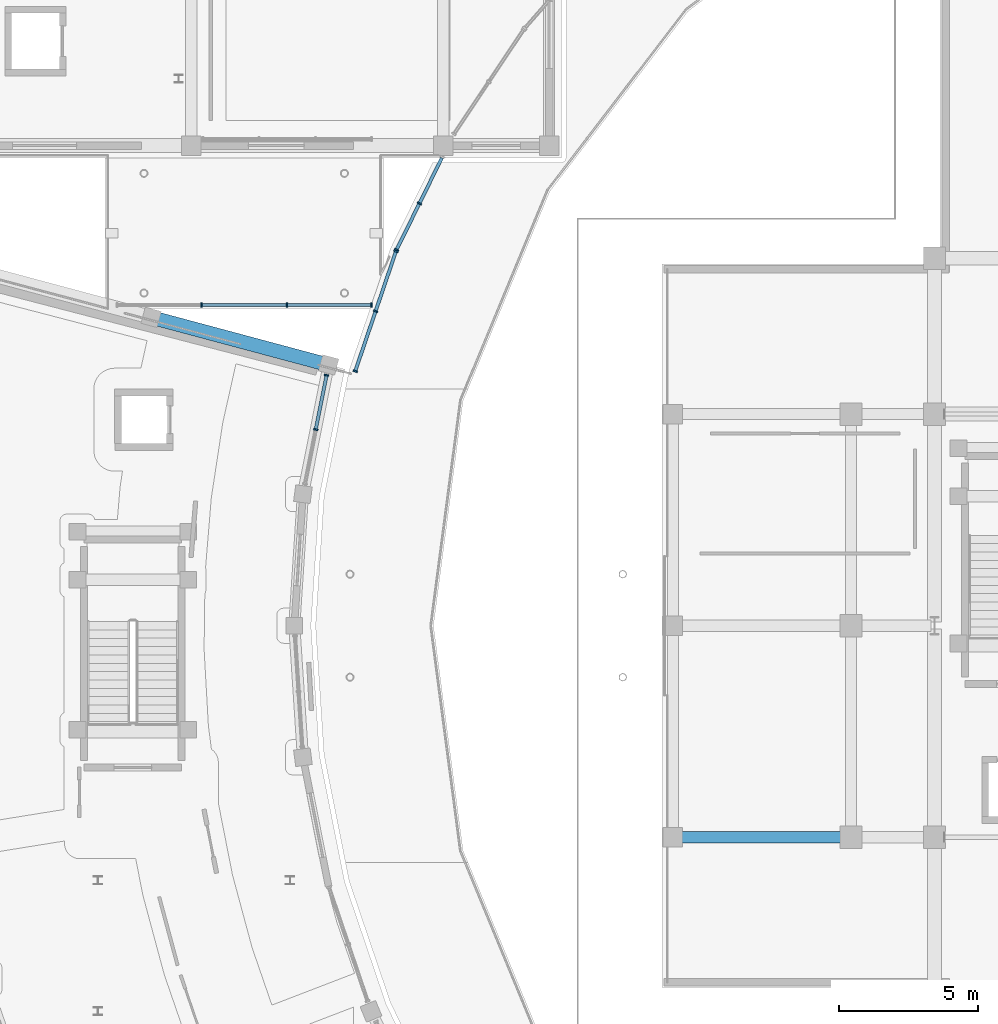
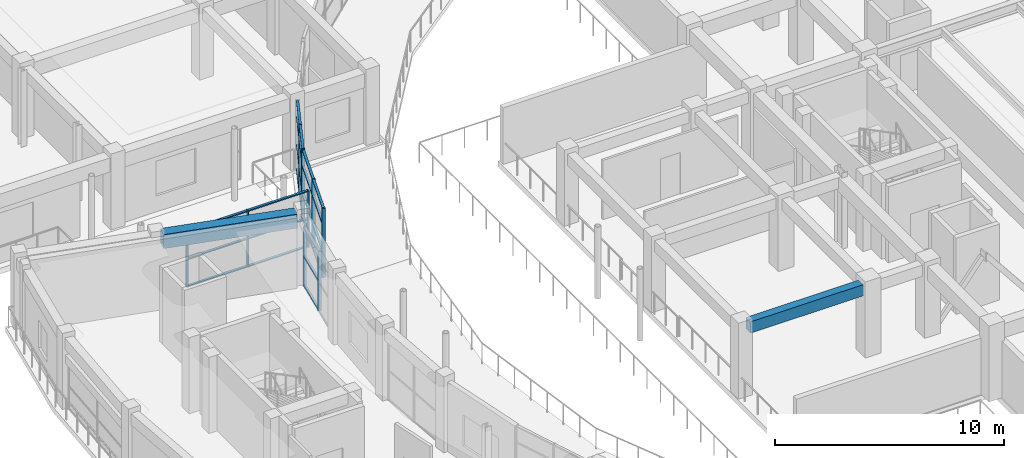
# One storey, part 24 of 83: 35 members, 2 beams, 4 elements without a shape of their own.
"""IFC4 building model written with IfcOpenShell, lengths in metres."""

from ifc_helpers import new_model, si_unit, direction, frame, origin, origin_2d, place, context, subcontext, project, spatial, rectangle, extrude, material, material_profile, profile_set, type_object, element, aggregate, save


model = new_model("IFC4")

# Units and contexts
model_context = context("Model", 3, precision=1e-05, world=origin(), true_north=direction((0.0, 1.0)))
body_context = subcontext(model_context, "Body", "Model", "MODEL_VIEW")
ifc_project = project(units=[si_unit("LENGTHUNIT", "METRE"), si_unit("AREAUNIT", "SQUARE_METRE"), si_unit("VOLUMEUNIT", "CUBIC_METRE"), si_unit("PLANEANGLEUNIT", "RADIAN"), si_unit("MASSUNIT", "GRAM", prefix="KILO")], contexts=[model_context])

# Site, building, storey
site_placement = place(None, origin())
site = spatial("IfcSite", under=ifc_project, at=site_placement, CompositionType="ELEMENT")
building_placement = place(site_placement, origin())
building = spatial("IfcBuilding", under=site, at=building_placement, Name="Saryqyr Civic Hall", CompositionType="ELEMENT")
storey_placement = place(building_placement, frame((0.0, 0.0, 9.14990234375)))
storey = spatial("IfcBuildingStorey", under=building, at=storey_placement, Name="L02", CompositionType="ELEMENT", Elevation=9.14990234375)

# Curtain wall, members
ifc_material_1 = material(Name="Anodised aluminium and triple low-E glass", Category="aluminium")
curtain_wall_type_1 = type_object("IfcCurtainWallType", Name="ENV-CW-STD-21", PredefinedType="NOTDEFINED", material=ifc_material_1)
curtain_wall_1_placement = place(storey_placement, origin())
curtain_wall_1 = element("IfcCurtainWall", 1, at=curtain_wall_1_placement, inside=storey, type_object=curtain_wall_type_1, Name="Curtain wall V4-CWI-L02-00", PredefinedType="NOTDEFINED")
ifc_material_2 = material(Name="Anodised aluminium", Category="aluminium")
ifc_material_profile_1 = material_profile(ifc_material_2, rectangle(XDim=0.06005859375, YDim=0.159912109375, at=origin_2d()), Name="ALU MULLION 60x160")
ifc_profile_set_1 = profile_set([ifc_material_profile_1], Name="Anodised aluminium")
member_type_1 = type_object("IfcMemberType", Name="ENV-CW-MUL-180", PredefinedType="MULLION", material=ifc_profile_set_1)
member_1_placement = place(storey_placement, frame((21.9599609375, 92.999755859375, 0.0), z_axis=(0.0, 0.0, 1.0), x_axis=(-0.195107360697, -0.980781891045, 0.0)))
member_1 = element("IfcMember", 2, at=member_1_placement, type_object=member_type_1, Name="CW-21 mullion 1", PredefinedType="MULLION", context=body_context, shape_type="SweptSolid", body=[
    extrude(rectangle(XDim=0.06005859375, YDim=0.159912109375, at=origin_2d()), origin(), (0.0, 0.0, 1.0), 3.1650390625),
])
member_2_placement = place(storey_placement, frame((21.571533203125, 91.047119140625, 0.0), z_axis=(0.0, 0.0, 1.0), x_axis=(-0.195107360697, -0.980781891045, 0.0)))
member_2 = element("IfcMember", 3, at=member_2_placement, type_object=member_type_1, Name="CW-21 mullion 2", PredefinedType="MULLION", context=body_context, shape_type="SweptSolid", body=[
    extrude(rectangle(XDim=0.06005859375, YDim=0.159912109375, at=origin_2d()), origin(), (0.0, 0.0, 1.0), 3.1650390625),
])

curtain_wall_type_2 = type_object("IfcCurtainWallType", Name="ENV-CW-STD-44", PredefinedType="NOTDEFINED", material=ifc_material_1)
curtain_wall_2_placement = place(storey_placement, origin())
curtain_wall_2 = element("IfcCurtainWall", 4, at=curtain_wall_2_placement, inside=storey, type_object=curtain_wall_type_2, Name="Curtain wall V2-PERIM-CW-L02-20", PredefinedType="NOTDEFINED")
member_3_placement = place(storey_placement, frame((24.474365234375, 97.505126953125, 0.0), z_axis=(0.0, 0.0, 1.0), x_axis=(0.442274074143, 0.896879949236, 0.0)))
member_3 = element("IfcMember", 5, at=member_3_placement, type_object=member_type_1, Name="CW-44 mullion 1", PredefinedType="MULLION", context=body_context, shape_type="SweptSolid", body=[
    extrude(rectangle(XDim=0.06005859375, YDim=0.159912109375, at=origin_2d()), origin(), (0.0, 0.0, 1.0), 3.7001953125),
])
member_4_placement = place(storey_placement, frame((25.294921875, 99.1689453125, 0.0), z_axis=(0.0, 0.0, 1.0), x_axis=(0.442274074143, 0.896879949236, 0.0)))
member_4 = element("IfcMember", 6, at=member_4_placement, type_object=member_type_1, Name="CW-44 mullion 2", PredefinedType="MULLION", context=body_context, shape_type="SweptSolid", body=[
    extrude(rectangle(XDim=0.06005859375, YDim=0.159912109375, at=origin_2d()), origin(), (0.0, 0.0, 1.0), 3.7001953125),
])

curtain_wall_type_3 = type_object("IfcCurtainWallType", Name="ENV-CW-STD-74", PredefinedType="NOTDEFINED", material=ifc_material_1)
curtain_wall_3_placement = place(storey_placement, origin())
curtain_wall_3 = element("IfcCurtainWall", 7, at=curtain_wall_3_placement, inside=storey, type_object=curtain_wall_type_3, Name="Curtain wall V2-PERIM-CW-L02-21", PredefinedType="NOTDEFINED")
member_5_placement = place(storey_placement, frame((22.98974609375, 93.14404296875, 0.0), z_axis=(0.0, 0.0, 1.0), x_axis=(0.321445459178, 0.946928094828, 0.0)))
member_5 = element("IfcMember", 8, at=member_5_placement, type_object=member_type_1, Name="CW-74 mullion 1", PredefinedType="MULLION", context=body_context, shape_type="SweptSolid", body=[
    extrude(rectangle(XDim=0.06005859375, YDim=0.159912109375, at=origin_2d()), origin(), (0.0, 0.0, 1.0), 3.7001953125),
])
member_6_placement = place(storey_placement, frame((23.720458984375, 95.296875, 0.0), z_axis=(0.0, 0.0, 1.0), x_axis=(0.321445459178, 0.946928094828, 0.0)))
member_6 = element("IfcMember", 9, at=member_6_placement, type_object=member_type_1, Name="CW-74 mullion 2", PredefinedType="MULLION", context=body_context, shape_type="SweptSolid", body=[
    extrude(rectangle(XDim=0.06005859375, YDim=0.159912109375, at=origin_2d()), origin(), (0.0, 0.0, 1.0), 3.7001953125),
])
member_7_placement = place(storey_placement, frame((24.451416015625, 97.44970703125, 0.0), z_axis=(0.0, 0.0, 1.0), x_axis=(0.321445459178, 0.946928094828, 0.0)))
member_7 = element("IfcMember", 10, at=member_7_placement, type_object=member_type_1, Name="CW-74 mullion 3", PredefinedType="MULLION", context=body_context, shape_type="SweptSolid", body=[
    extrude(rectangle(XDim=0.06005859375, YDim=0.159912109375, at=origin_2d()), origin(), (0.0, 0.0, 1.0), 3.7001953125),
])

curtain_wall_type_4 = type_object("IfcCurtainWallType", Name="ENV-CW-STD-84", PredefinedType="NOTDEFINED", material=ifc_material_1)
curtain_wall_4_placement = place(storey_placement, origin())
curtain_wall_4 = element("IfcCurtainWall", 11, at=curtain_wall_4_placement, inside=storey, type_object=curtain_wall_type_4, Name="Curtain wall BR-NW-CW1-L02", PredefinedType="NOTDEFINED")
member_8_placement = place(storey_placement, frame((23.570068359375, 95.52001953125, 0.0), z_axis=(0.0, 0.0, 1.0), x_axis=(-1.0, 0.0, 0.0)))
member_8 = element("IfcMember", 12, at=member_8_placement, type_object=member_type_1, Name="CW-84 mullion 1", PredefinedType="MULLION", context=body_context, shape_type="SweptSolid", body=[
    extrude(rectangle(XDim=0.06005859375, YDim=0.159912109375, at=origin_2d()), origin(), (0.0, 0.0, 1.0), 3.01513671875),
])
member_9_placement = place(storey_placement, frame((20.533447265625, 95.52001953125, 0.0), z_axis=(0.0, 0.0, 1.0), x_axis=(-1.0, 0.0, 0.0)))
member_9 = element("IfcMember", 13, at=member_9_placement, type_object=member_type_1, Name="CW-84 mullion 2", PredefinedType="MULLION", context=body_context, shape_type="SweptSolid", body=[
    extrude(rectangle(XDim=0.06005859375, YDim=0.159912109375, at=origin_2d()), origin(), (0.0, 0.0, 1.0), 3.01513671875),
])
member_10_placement = place(storey_placement, frame((17.466552734375, 95.52001953125, 0.0), z_axis=(0.0, 0.0, 1.0), x_axis=(-1.0, 0.0, 0.0)))
member_10 = element("IfcMember", 14, at=member_10_placement, type_object=member_type_1, Name="CW-84 mullion 3", PredefinedType="MULLION", context=body_context, shape_type="SweptSolid", body=[
    extrude(rectangle(XDim=0.06005859375, YDim=0.159912109375, at=origin_2d()), origin(), (0.0, 0.0, 1.0), 3.01513671875),
])

# Member
ifc_material_profile_2 = material_profile(ifc_material_2, rectangle(XDim=0.1201171875, YDim=0.06005859375, at=origin_2d()), Name="ALU TRANSOM 120x60")
ifc_profile_set_2 = profile_set([ifc_material_profile_2], Name="Anodised aluminium")
member_type_2 = type_object("IfcMemberType", Name="ENV-CW-TRN-150", PredefinedType="USERDEFINED", material=ifc_profile_set_2)
member_11_placement = place(storey_placement, frame((21.9541015625, 92.970458984375, 0.030029296875), z_axis=(-0.195070603182, -0.980789202517, 0.0), x_axis=(0.980789202517, -0.195070603182, 0.0)))
member_11 = element("IfcMember", 15, at=member_11_placement, type_object=member_type_2, Name="CW-21 transom 1.1", ObjectType="TRANSOM", PredefinedType="USERDEFINED", context=body_context, shape_type="SweptSolid", body=[
    extrude(rectangle(XDim=0.1201171875, YDim=0.06005859375, at=origin_2d()), origin(), (0.0, 0.0, 1.0), 1.93115234375),
])

member_12_placement = place(storey_placement, frame((21.9541015625, 92.970458984375, 1.58203125), z_axis=(-0.195070603182, -0.980789202517, 0.0), x_axis=(0.980789202517, -0.195070603182, 0.0)))
member_12 = element("IfcMember", 16, at=member_12_placement, type_object=member_type_2, Name="CW-21 transom 1.2", ObjectType="TRANSOM", PredefinedType="USERDEFINED", context=body_context, shape_type="SweptSolid", body=[
    extrude(rectangle(XDim=0.1201171875, YDim=0.06005859375, at=origin_2d()), origin(), (0.0, 0.0, 1.0), 1.93115234375),
])

member_13_placement = place(storey_placement, frame((21.9541015625, 92.970458984375, 3.135009765625), z_axis=(-0.195070603182, -0.980789202517, 0.0), x_axis=(0.980789202517, -0.195070603182, 0.0)))
member_13 = element("IfcMember", 17, at=member_13_placement, type_object=member_type_2, Name="CW-21 transom 1.3", ObjectType="TRANSOM", PredefinedType="USERDEFINED", context=body_context, shape_type="SweptSolid", body=[
    extrude(rectangle(XDim=0.1201171875, YDim=0.06005859375, at=origin_2d()), origin(), (0.0, 0.0, 1.0), 1.93115234375),
])

aggregate(curtain_wall_1, [member_1, member_2, member_11, member_12, member_13])

member_14_placement = place(storey_placement, frame((24.487548828125, 97.531982421875, 0.030029296875), z_axis=(0.442256519439, 0.896888605689, 0.0), x_axis=(-0.896888605689, 0.442256519439, 0.0)))
member_14 = element("IfcMember", 18, at=member_14_placement, type_object=member_type_2, Name="CW-44 transom 1.1", ObjectType="TRANSOM", PredefinedType="USERDEFINED", context=body_context, shape_type="SweptSolid", body=[
    extrude(rectangle(XDim=0.1201171875, YDim=0.06005859375, at=origin_2d()), origin(), (0.0, 0.0, 1.0), 1.795166015625),
])

member_15_placement = place(storey_placement, frame((24.487548828125, 97.531982421875, 1.33203125), z_axis=(0.442256519439, 0.896888605689, 0.0), x_axis=(-0.896888605689, 0.442256519439, 0.0)))
member_15 = element("IfcMember", 19, at=member_15_placement, type_object=member_type_2, Name="CW-44 transom 1.2", ObjectType="TRANSOM", PredefinedType="USERDEFINED", context=body_context, shape_type="SweptSolid", body=[
    extrude(rectangle(XDim=0.1201171875, YDim=0.06005859375, at=origin_2d()), origin(), (0.0, 0.0, 1.0), 1.795166015625),
])

member_16_placement = place(storey_placement, frame((24.487548828125, 97.531982421875, 2.81201171875), z_axis=(0.442256519439, 0.896888605689, 0.0), x_axis=(-0.896888605689, 0.442256519439, 0.0)))
member_16 = element("IfcMember", 20, at=member_16_placement, type_object=member_type_2, Name="CW-44 transom 1.3", ObjectType="TRANSOM", PredefinedType="USERDEFINED", context=body_context, shape_type="SweptSolid", body=[
    extrude(rectangle(XDim=0.1201171875, YDim=0.06005859375, at=origin_2d()), origin(), (0.0, 0.0, 1.0), 1.795166015625),
])

member_17_placement = place(storey_placement, frame((24.487548828125, 97.531982421875, 3.670166015625), z_axis=(0.442256519439, 0.896888605689, 0.0), x_axis=(-0.896888605689, 0.442256519439, 0.0)))
member_17 = element("IfcMember", 21, at=member_17_placement, type_object=member_type_2, Name="CW-44 transom 1.4", ObjectType="TRANSOM", PredefinedType="USERDEFINED", context=body_context, shape_type="SweptSolid", body=[
    extrude(rectangle(XDim=0.1201171875, YDim=0.06005859375, at=origin_2d()), origin(), (0.0, 0.0, 1.0), 1.795166015625),
])

member_18_placement = place(storey_placement, frame((25.30810546875, 99.196044921875, 0.030029296875), z_axis=(0.442256519439, 0.896888605689, 0.0), x_axis=(-0.896888605689, 0.442256519439, 0.0)))
member_18 = element("IfcMember", 22, at=member_18_placement, type_object=member_type_2, Name="CW-44 transom 2.1", ObjectType="TRANSOM", PredefinedType="USERDEFINED", context=body_context, shape_type="SweptSolid", body=[
    extrude(rectangle(XDim=0.1201171875, YDim=0.06005859375, at=origin_2d()), origin(), (0.0, 0.0, 1.0), 1.795166015625),
])

member_19_placement = place(storey_placement, frame((25.30810546875, 99.196044921875, 1.33203125), z_axis=(0.442256519439, 0.896888605689, 0.0), x_axis=(-0.896888605689, 0.442256519439, 0.0)))
member_19 = element("IfcMember", 23, at=member_19_placement, type_object=member_type_2, Name="CW-44 transom 2.2", ObjectType="TRANSOM", PredefinedType="USERDEFINED", context=body_context, shape_type="SweptSolid", body=[
    extrude(rectangle(XDim=0.1201171875, YDim=0.06005859375, at=origin_2d()), origin(), (0.0, 0.0, 1.0), 1.795166015625),
])

member_20_placement = place(storey_placement, frame((25.30810546875, 99.196044921875, 2.81201171875), z_axis=(0.442256519439, 0.896888605689, 0.0), x_axis=(-0.896888605689, 0.442256519439, 0.0)))
member_20 = element("IfcMember", 24, at=member_20_placement, type_object=member_type_2, Name="CW-44 transom 2.3", ObjectType="TRANSOM", PredefinedType="USERDEFINED", context=body_context, shape_type="SweptSolid", body=[
    extrude(rectangle(XDim=0.1201171875, YDim=0.06005859375, at=origin_2d()), origin(), (0.0, 0.0, 1.0), 1.795166015625),
])

member_21_placement = place(storey_placement, frame((25.30810546875, 99.196044921875, 3.670166015625), z_axis=(0.442256519439, 0.896888605689, 0.0), x_axis=(-0.896888605689, 0.442256519439, 0.0)))
member_21 = element("IfcMember", 25, at=member_21_placement, type_object=member_type_2, Name="CW-44 transom 2.4", ObjectType="TRANSOM", PredefinedType="USERDEFINED", context=body_context, shape_type="SweptSolid", body=[
    extrude(rectangle(XDim=0.1201171875, YDim=0.06005859375, at=origin_2d()), origin(), (0.0, 0.0, 1.0), 1.795166015625),
])

aggregate(curtain_wall_2, [member_3, member_4, member_14, member_15, member_16, member_17, member_18, member_19, member_20, member_21])

member_22_placement = place(storey_placement, frame((22.999267578125, 93.17236328125, 0.030029296875), z_axis=(0.321483543904, 0.946915165682, 0.0), x_axis=(-0.946915165682, 0.321483543904, 0.0)))
member_22 = element("IfcMember", 26, at=member_22_placement, type_object=member_type_2, Name="CW-74 transom 1.1", ObjectType="TRANSOM", PredefinedType="USERDEFINED", context=body_context, shape_type="SweptSolid", body=[
    extrude(rectangle(XDim=0.1201171875, YDim=0.06005859375, at=origin_2d()), origin(), (0.0, 0.0, 1.0), 2.213623046875),
])

member_23_placement = place(storey_placement, frame((22.999267578125, 93.17236328125, 1.33203125), z_axis=(0.321483543904, 0.946915165682, 0.0), x_axis=(-0.946915165682, 0.321483543904, 0.0)))
member_23 = element("IfcMember", 27, at=member_23_placement, type_object=member_type_2, Name="CW-74 transom 1.2", ObjectType="TRANSOM", PredefinedType="USERDEFINED", context=body_context, shape_type="SweptSolid", body=[
    extrude(rectangle(XDim=0.1201171875, YDim=0.06005859375, at=origin_2d()), origin(), (0.0, 0.0, 1.0), 2.213623046875),
])

member_24_placement = place(storey_placement, frame((22.999267578125, 93.17236328125, 2.81201171875), z_axis=(0.321483543904, 0.946915165682, 0.0), x_axis=(-0.946915165682, 0.321483543904, 0.0)))
member_24 = element("IfcMember", 28, at=member_24_placement, type_object=member_type_2, Name="CW-74 transom 1.3", ObjectType="TRANSOM", PredefinedType="USERDEFINED", context=body_context, shape_type="SweptSolid", body=[
    extrude(rectangle(XDim=0.1201171875, YDim=0.06005859375, at=origin_2d()), origin(), (0.0, 0.0, 1.0), 2.213623046875),
])

member_25_placement = place(storey_placement, frame((22.999267578125, 93.17236328125, 3.670166015625), z_axis=(0.321483543904, 0.946915165682, 0.0), x_axis=(-0.946915165682, 0.321483543904, 0.0)))
member_25 = element("IfcMember", 29, at=member_25_placement, type_object=member_type_2, Name="CW-74 transom 1.4", ObjectType="TRANSOM", PredefinedType="USERDEFINED", context=body_context, shape_type="SweptSolid", body=[
    extrude(rectangle(XDim=0.1201171875, YDim=0.06005859375, at=origin_2d()), origin(), (0.0, 0.0, 1.0), 2.213623046875),
])

member_26_placement = place(storey_placement, frame((23.730224609375, 95.3251953125, 0.030029296875), z_axis=(0.321384650933, 0.946948734697, 0.0), x_axis=(-0.946948734697, 0.321384650933, 0.0)))
member_26 = element("IfcMember", 30, at=member_26_placement, type_object=member_type_2, Name="CW-74 transom 2.1", ObjectType="TRANSOM", PredefinedType="USERDEFINED", context=body_context, shape_type="SweptSolid", body=[
    extrude(rectangle(XDim=0.1201171875, YDim=0.06005859375, at=origin_2d()), origin(), (0.0, 0.0, 1.0), 2.213623046875),
])

member_27_placement = place(storey_placement, frame((23.730224609375, 95.3251953125, 1.33203125), z_axis=(0.321384650933, 0.946948734697, 0.0), x_axis=(-0.946948734697, 0.321384650933, 0.0)))
member_27 = element("IfcMember", 31, at=member_27_placement, type_object=member_type_2, Name="CW-74 transom 2.2", ObjectType="TRANSOM", PredefinedType="USERDEFINED", context=body_context, shape_type="SweptSolid", body=[
    extrude(rectangle(XDim=0.1201171875, YDim=0.06005859375, at=origin_2d()), origin(), (0.0, 0.0, 1.0), 2.213623046875),
])

member_28_placement = place(storey_placement, frame((23.730224609375, 95.3251953125, 2.81201171875), z_axis=(0.321384650933, 0.946948734697, 0.0), x_axis=(-0.946948734697, 0.321384650933, 0.0)))
member_28 = element("IfcMember", 32, at=member_28_placement, type_object=member_type_2, Name="CW-74 transom 2.3", ObjectType="TRANSOM", PredefinedType="USERDEFINED", context=body_context, shape_type="SweptSolid", body=[
    extrude(rectangle(XDim=0.1201171875, YDim=0.06005859375, at=origin_2d()), origin(), (0.0, 0.0, 1.0), 2.213623046875),
])

member_29_placement = place(storey_placement, frame((23.730224609375, 95.3251953125, 3.670166015625), z_axis=(0.321384650933, 0.946948734697, 0.0), x_axis=(-0.946948734697, 0.321384650933, 0.0)))
member_29 = element("IfcMember", 33, at=member_29_placement, type_object=member_type_2, Name="CW-74 transom 2.4", ObjectType="TRANSOM", PredefinedType="USERDEFINED", context=body_context, shape_type="SweptSolid", body=[
    extrude(rectangle(XDim=0.1201171875, YDim=0.06005859375, at=origin_2d()), origin(), (0.0, 0.0, 1.0), 2.213623046875),
])

aggregate(curtain_wall_3, [member_5, member_6, member_7, member_22, member_23, member_24, member_25, member_26, member_27, member_28, member_29])

member_30_placement = place(storey_placement, frame((23.5400390625, 95.52001953125, 0.030029296875), z_axis=(-1.0, 0.0, 0.0), x_axis=(0.0, -1.0, 0.0)))
member_30 = element("IfcMember", 34, at=member_30_placement, type_object=member_type_2, Name="CW-84 transom 1.1", ObjectType="TRANSOM", PredefinedType="USERDEFINED", context=body_context, shape_type="SweptSolid", body=[
    extrude(rectangle(XDim=0.1201171875, YDim=0.06005859375, at=origin_2d()), origin(), (0.0, 0.0, 1.0), 2.976806640625),
])

member_31_placement = place(storey_placement, frame((23.5400390625, 95.52001953125, 1.508056640625), z_axis=(-1.0, 0.0, 0.0), x_axis=(0.0, -1.0, 0.0)))
member_31 = element("IfcMember", 35, at=member_31_placement, type_object=member_type_2, Name="CW-84 transom 1.2", ObjectType="TRANSOM", PredefinedType="USERDEFINED", context=body_context, shape_type="SweptSolid", body=[
    extrude(rectangle(XDim=0.1201171875, YDim=0.06005859375, at=origin_2d()), origin(), (0.0, 0.0, 1.0), 2.976806640625),
])

member_32_placement = place(storey_placement, frame((23.5400390625, 95.52001953125, 2.985107421875), z_axis=(-1.0, 0.0, 0.0), x_axis=(0.0, -1.0, 0.0)))
member_32 = element("IfcMember", 36, at=member_32_placement, type_object=member_type_2, Name="CW-84 transom 1.3", ObjectType="TRANSOM", PredefinedType="USERDEFINED", context=body_context, shape_type="SweptSolid", body=[
    extrude(rectangle(XDim=0.1201171875, YDim=0.06005859375, at=origin_2d()), origin(), (0.0, 0.0, 1.0), 2.976806640625),
])

member_33_placement = place(storey_placement, frame((20.50341796875, 95.52001953125, 0.030029296875), z_axis=(-1.0, 0.0, 0.0), x_axis=(0.0, -1.0, 0.0)))
member_33 = element("IfcMember", 37, at=member_33_placement, type_object=member_type_2, Name="CW-84 transom 2.1", ObjectType="TRANSOM", PredefinedType="USERDEFINED", context=body_context, shape_type="SweptSolid", body=[
    extrude(rectangle(XDim=0.1201171875, YDim=0.06005859375, at=origin_2d()), origin(), (0.0, 0.0, 1.0), 3.0068359375),
])

member_34_placement = place(storey_placement, frame((20.50341796875, 95.52001953125, 1.508056640625), z_axis=(-1.0, 0.0, 0.0), x_axis=(0.0, -1.0, 0.0)))
member_34 = element("IfcMember", 38, at=member_34_placement, type_object=member_type_2, Name="CW-84 transom 2.2", ObjectType="TRANSOM", PredefinedType="USERDEFINED", context=body_context, shape_type="SweptSolid", body=[
    extrude(rectangle(XDim=0.1201171875, YDim=0.06005859375, at=origin_2d()), origin(), (0.0, 0.0, 1.0), 3.0068359375),
])

member_35_placement = place(storey_placement, frame((20.50341796875, 95.52001953125, 2.985107421875), z_axis=(-1.0, 0.0, 0.0), x_axis=(0.0, -1.0, 0.0)))
member_35 = element("IfcMember", 39, at=member_35_placement, type_object=member_type_2, Name="CW-84 transom 2.3", ObjectType="TRANSOM", PredefinedType="USERDEFINED", context=body_context, shape_type="SweptSolid", body=[
    extrude(rectangle(XDim=0.1201171875, YDim=0.06005859375, at=origin_2d()), origin(), (0.0, 0.0, 1.0), 3.0068359375),
])

aggregate(curtain_wall_4, [member_8, member_9, member_10, member_30, member_31, member_32, member_33, member_34, member_35])

# Beams
ifc_material_3 = material(Name="Concrete C35/45", Category="concrete")
ifc_material_profile_3 = material_profile(ifc_material_3, rectangle(XDim=0.39990234375, YDim=0.60009765625, at=origin_2d()), Name="RC 400x600")
ifc_profile_set_3 = profile_set([ifc_material_profile_3], Name="Concrete C35/45")
beam_type_1 = type_object("IfcBeamType", Name="STR-BM-RC400x600", PredefinedType="BEAM", material=ifc_profile_set_3)
beam_1_placement = place(storey_placement, frame((34.72509765625, 76.39990234375, 3.489990234375), z_axis=(1.0, 0.0, 0.0), x_axis=(0.0, 1.0, 0.0)))
element("IfcBeam", 40, at=beam_1_placement, inside=storey, type_object=beam_type_1, Name="Beam V1-TBM-01-L02", PredefinedType="BEAM", context=body_context, shape_type="SweptSolid", body=[
    extrude(rectangle(XDim=0.39990234375, YDim=0.60009765625, at=origin_2d()), origin(), (0.0, 0.0, 1.0), 5.699951171875),
])
ifc_material_4 = material(Name="Concrete C40/50", Category="concrete")
ifc_material_profile_4 = material_profile(ifc_material_4, rectangle(XDim=0.5, YDim=0.75, at=origin_2d()), Name="RC 500x750")
ifc_profile_set_4 = profile_set([ifc_material_profile_4], Name="Concrete C40/50")
beam_type_2 = type_object("IfcBeamType", Name="STR-BM-RC500x750", PredefinedType="BEAM", material=ifc_profile_set_4)
beam_2_placement = place(storey_placement, frame((21.767822265625, 93.4404296875, 3.4150390625), z_axis=(-0.965922112277, 0.258832905588, 0.0), x_axis=(-0.258832905588, -0.965922112277, 0.0)))
element("IfcBeam", 41, at=beam_2_placement, inside=storey, type_object=beam_type_2, Name="Beam V4-RBM-A00-L02", PredefinedType="BEAM", context=body_context, shape_type="SweptSolid", body=[
    extrude(rectangle(XDim=0.5, YDim=0.75, at=origin_2d()), origin(), (0.0, 0.0, 1.0), 6.0498046875),
])

save(model, "model.ifc")
